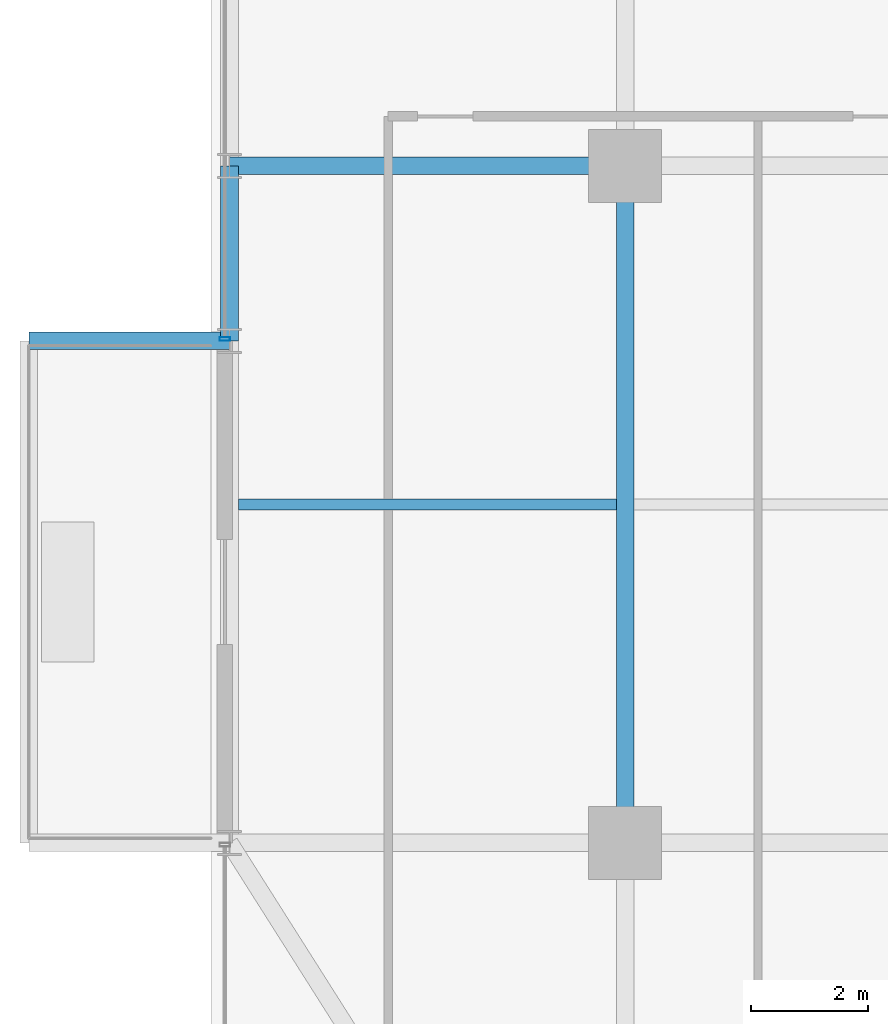
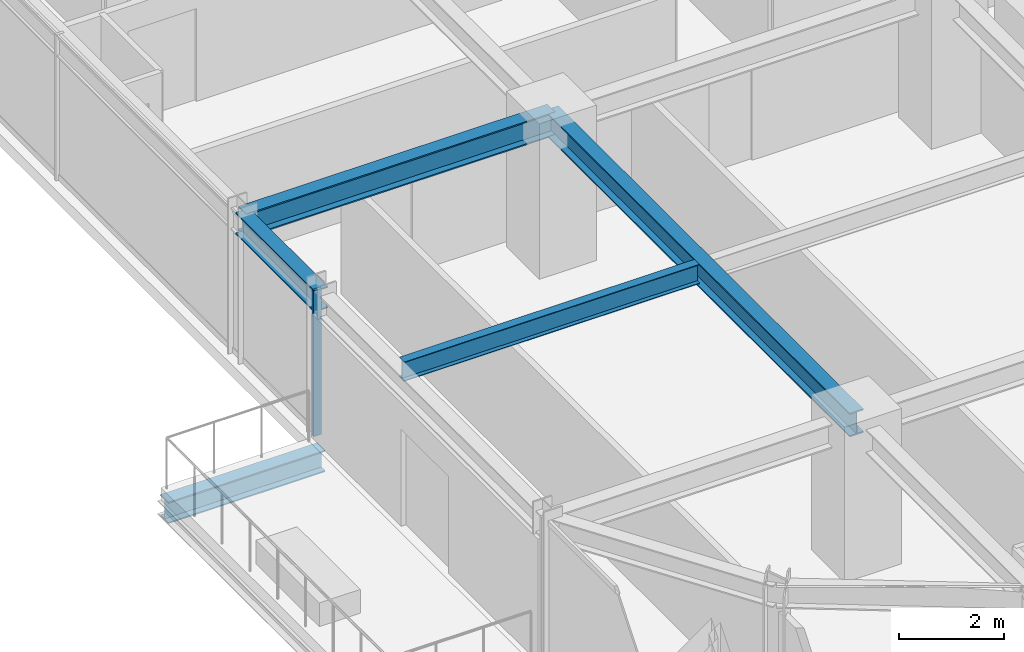
# One storey, part 6 of 31: 5 beams, 1 member, 1 element without a shape of its own.
"""IFC4 building model written with IfcOpenShell, lengths in metres."""

from ifc_helpers import new_model, si_unit, direction, frame, origin, origin_2d, place, context, subcontext, project, spatial, hollow_rectangle, i_section, extrude, source, transform, mapped, material, material_profile, profile_set, type_object, element, aggregate, save


model = new_model("IFC4")

# Units and contexts
model_context = context("Model", 3, precision=1e-05, world=origin(), true_north=direction((0.0, 1.0)))
body_context = subcontext(model_context, "Body", "Model", "MODEL_VIEW")
ifc_project = project(units=[si_unit("LENGTHUNIT", "METRE"), si_unit("AREAUNIT", "SQUARE_METRE"), si_unit("VOLUMEUNIT", "CUBIC_METRE"), si_unit("PLANEANGLEUNIT", "RADIAN"), si_unit("MASSUNIT", "GRAM", prefix="KILO")], contexts=[model_context])

# Site, building, storey
site_placement = place(None, origin())
site = spatial("IfcSite", under=ifc_project, at=site_placement, CompositionType="ELEMENT")
building_placement = place(site_placement, origin())
building = spatial("IfcBuilding", under=site, at=building_placement, Name="Nahalor Promenade Grand Hotel", CompositionType="ELEMENT")
storey_placement = place(building_placement, frame((0.0, 0.0, 95.60009765625)))
storey = spatial("IfcBuildingStorey", under=building, at=storey_placement, Name="L23", CompositionType="ELEMENT", Elevation=95.60009765625)

# Beams
ifc_material_1 = material(Name="Steel S355JR", Category="steel")
ifc_material_profile_1 = material_profile(ifc_material_1, i_section(OverallWidth=0.3, OverallDepth=0.5, WebThickness=0.0145, FlangeThickness=0.028, at=origin_2d()), Name="HEB 500")
ifc_profile_set_1 = profile_set([ifc_material_profile_1], Name="Steel S355JR")
beam_type_1 = type_object("IfcBeamType", Name="Beam-Outrigger-HEB500", PredefinedType="BEAM", material=ifc_profile_set_1)
shared_shape_1 = source(origin(), body_context, "Body", "SweptSolid", [
    extrude(i_section(OverallWidth=0.3, OverallDepth=0.5, WebThickness=0.0145, FlangeThickness=0.028, at=origin_2d()), origin(), (0.0, 0.0, 1.0), 3.43994140625),
])
beam_1_placement = place(storey_placement, frame((-27.219970703125, -8.39990234375, -0.530029296875), z_axis=(1.0, 0.0, 0.0), x_axis=(0.0, 1.0, 0.0)))
element("IfcBeam", 1, at=beam_1_placement, inside=storey, type_object=beam_type_1, Name="BM-L23-BC-02-2", PredefinedType="BEAM", context=body_context, shape_type="MappedRepresentation", body=[
    mapped(shared_shape_1, transform((0.0, 0.0, 0.0), scale=1.0)),
])
ifc_material_profile_2 = material_profile(ifc_material_1, i_section(OverallWidth=0.3, OverallDepth=0.5, WebThickness=0.0145, FlangeThickness=0.028, at=origin_2d()), Name="HEB 500")
ifc_profile_set_2 = profile_set([ifc_material_profile_2], Name="Steel S355JR")
beam_type_2 = type_object("IfcBeamType", Name="Beam-Spandrel-HEB500", PredefinedType="SPANDREL", material=ifc_profile_set_2)
shared_shape_2 = source(origin(), body_context, "Body", "SweptSolid", [
    extrude(i_section(OverallWidth=0.3, OverallDepth=0.5, WebThickness=0.0145, FlangeThickness=0.028, at=origin_2d()), origin(), (0.0, 0.0, 1.0), 3.0),
])
beam_2_placement = place(storey_placement, frame((-23.780029296875, -8.39990234375, 3.1298828125), z_axis=(0.0, 1.0, 0.0), x_axis=(-1.0, 0.0, 0.0)))
element("IfcBeam", 2, at=beam_2_placement, inside=storey, type_object=beam_type_2, Name="BM-L23-SP-W-1", PredefinedType="SPANDREL", context=body_context, shape_type="MappedRepresentation", body=[
    mapped(shared_shape_2, transform((0.0, 0.0, 0.0), scale=1.0)),
])
ifc_material_profile_3 = material_profile(ifc_material_1, i_section(OverallWidth=0.3, OverallDepth=0.55, WebThickness=0.015, FlangeThickness=0.029, at=origin_2d()), Name="HEB 550")
ifc_profile_set_3 = profile_set([ifc_material_profile_3], Name="Steel S355JR")
beam_type_3 = type_object("IfcBeamType", Name="Beam-Girder-HEB550", PredefinedType="BEAM", material=ifc_profile_set_3)
shared_shape_3 = source(origin(), body_context, "Body", "SweptSolid", [
    extrude(i_section(OverallWidth=0.3, OverallDepth=0.55, WebThickness=0.015, FlangeThickness=0.029, at=origin_2d()), origin(), (0.0, 0.0, 1.0), 6.780029296875),
])
beam_3_placement = place(storey_placement, frame((-23.780029296875, -5.39990234375, 3.10498046875), z_axis=(1.0, 0.0, 0.0), x_axis=(0.0, 1.0, 0.0)))
element("IfcBeam", 3, at=beam_3_placement, inside=storey, type_object=beam_type_3, Name="BM-L23-GX-1-0", PredefinedType="BEAM", context=body_context, shape_type="MappedRepresentation", body=[
    mapped(shared_shape_3, transform((0.0, 0.0, 0.0), scale=1.0)),
])
shared_shape_4 = source(origin(), body_context, "Body", "SweptSolid", [
    extrude(i_section(OverallWidth=0.3, OverallDepth=0.55, WebThickness=0.015, FlangeThickness=0.029, at=origin_2d()), origin(), (0.0, 0.0, 1.0), 11.60009765625),
])
beam_4_placement = place(storey_placement, frame((-17.0, -17.0, 3.10498046875), z_axis=(0.0, 1.0, 0.0), x_axis=(-1.0, 0.0, 0.0)))
element("IfcBeam", 4, at=beam_4_placement, inside=storey, type_object=beam_type_3, Name="BM-L23-GY-0-1", PredefinedType="BEAM", context=body_context, shape_type="MappedRepresentation", body=[
    mapped(shared_shape_4, transform((0.0, 0.0, 0.0), scale=1.0)),
])
ifc_material_profile_4 = material_profile(ifc_material_1, i_section(OverallWidth=0.19, OverallDepth=0.45, WebThickness=0.0094, FlangeThickness=0.0146, at=origin_2d()), Name="IPE 450")
ifc_profile_set_4 = profile_set([ifc_material_profile_4], Name="Steel S355JR")
beam_type_4 = type_object("IfcBeamType", Name="Beam-Joist-IPE450", PredefinedType="JOIST", material=ifc_profile_set_4)
shared_shape_5 = source(origin(), body_context, "Body", "SweptSolid", [
    extrude(i_section(OverallWidth=0.19, OverallDepth=0.45, WebThickness=0.0094, FlangeThickness=0.0146, at=origin_2d()), origin(), (0.0, 0.0, 1.0), 6.47998046875),
])
beam_5_placement = place(storey_placement, frame((-23.6298828125, -11.199951171875, 3.15478515625), z_axis=(1.0, 0.0, 0.0), x_axis=(0.0, 1.0, 0.0)))
element("IfcBeam", 5, at=beam_5_placement, inside=storey, type_object=beam_type_4, Name="BM-L23-JSW-0-0", PredefinedType="JOIST", context=body_context, shape_type="MappedRepresentation", body=[
    mapped(shared_shape_5, transform((0.0, 0.0, 0.0), scale=1.0)),
])

# Curtain wall, member
ifc_material_2 = material(Name="Anodised Bronze Aluminium EN AW-6063 T6", Category="aluminium")
curtain_wall_type = type_object("IfcCurtainWallType", Name="CW2 Typical Hotel Flush Bronze Unitised Curtain Wall", PredefinedType="USERDEFINED", material=ifc_material_2)
curtain_wall_placement = place(storey_placement, origin())
curtain_wall = element("IfcCurtainWall", 6, at=curtain_wall_placement, inside=storey, type_object=curtain_wall_type, Name="L23 Curtain Wall CW-L23-W-3", ObjectType="UNITISED_CURTAIN_WALL", PredefinedType="USERDEFINED")
ifc_material_profile_5 = material_profile(ifc_material_2, hollow_rectangle(XDim=0.065, YDim=0.18, WallThickness=0.004, at=origin_2d()), Name="CWM 65x180x4")
ifc_profile_set_5 = profile_set([ifc_material_profile_5], Name="Anodised Bronze Aluminium EN AW-6063 T6")
member_type = type_object("IfcMemberType", Name="CWM2 Typical Bronze Mullion 65x180", PredefinedType="MULLION", material=ifc_profile_set_5)
shared_shape_6 = source(origin(), body_context, "Body", "SweptSolid", [
    extrude(hollow_rectangle(XDim=0.065, YDim=0.18, WallThickness=0.004, at=origin_2d()), origin(), (0.0, 0.0, 1.0), 3.3798828125),
])
member_placement = place(storey_placement, frame((-23.860107421875, -8.367431640625, 0.0), z_axis=(0.0, 0.0, 1.0), x_axis=(0.0, 1.0, 0.0)))
member = element("IfcMember", 7, at=member_placement, type_object=member_type, Name="CW-L23-W-3 Mullion 0", PredefinedType="MULLION", context=body_context, shape_type="MappedRepresentation", body=[
    mapped(shared_shape_6, transform((0.0, 0.0, 0.0), scale=1.0)),
])
aggregate(curtain_wall, [member])

save(model, "model.ifc")
